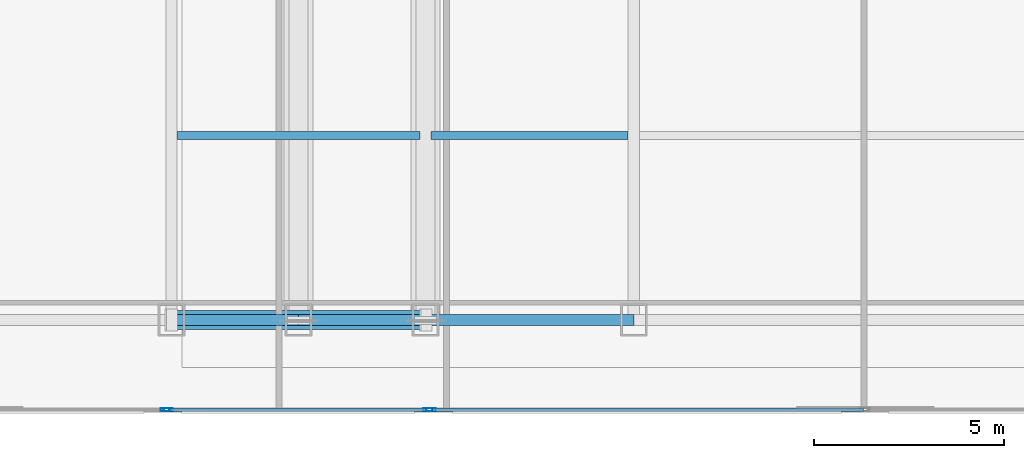
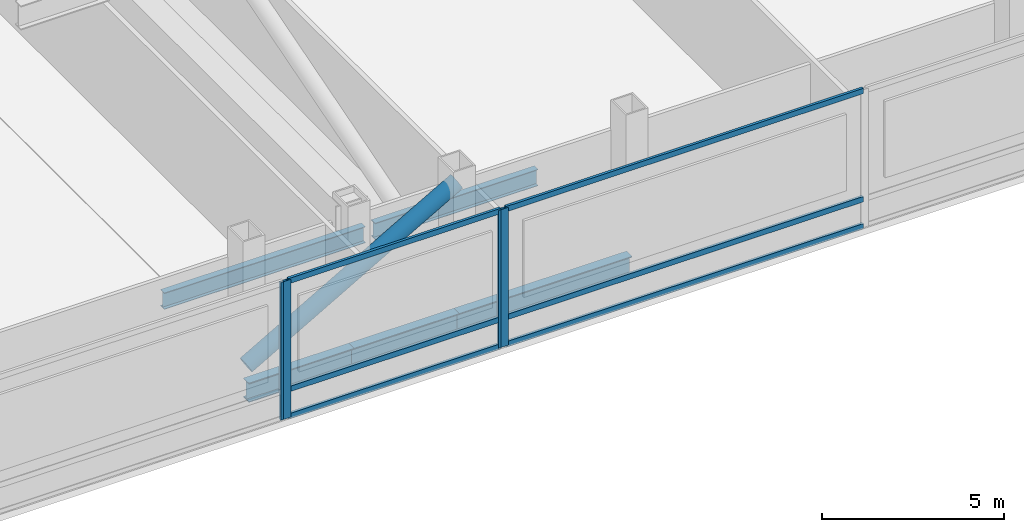
# One storey, part 8 of 32: 11 members, 5 beams, 3 elements without a shape of their own.
"""IFC4 building model written with IfcOpenShell, lengths in metres."""

from ifc_helpers import new_model, si_unit, direction, frame, origin, origin_2d, place, context, subcontext, project, spatial, hollow_rectangle, hollow_circle, i_section, extrude, material, material_profile, profile_set, type_object, element, aggregate, save


model = new_model("IFC4")

# Units and contexts
model_context = context("Model", 3, precision=1e-05, world=origin(), true_north=direction((0.0, 1.0)))
body_context = subcontext(model_context, "Body", "Model", "MODEL_VIEW")
ifc_project = project(units=[si_unit("LENGTHUNIT", "METRE"), si_unit("AREAUNIT", "SQUARE_METRE"), si_unit("VOLUMEUNIT", "CUBIC_METRE"), si_unit("PLANEANGLEUNIT", "RADIAN"), si_unit("MASSUNIT", "GRAM", prefix="KILO")], contexts=[model_context])

# Site, building, storey
site_placement = place(None, origin())
site = spatial("IfcSite", under=ifc_project, at=site_placement, CompositionType="ELEMENT")
building_placement = place(site_placement, origin())
building = spatial("IfcBuilding", under=site, at=building_placement, Name="Khoronbel Lancet Exchange", CompositionType="ELEMENT")
storey_placement = place(building_placement, frame((0.0, 0.0, 85.800048828125)))
storey = spatial("IfcBuildingStorey", under=building, at=storey_placement, Name="L20", CompositionType="ELEMENT", Elevation=85.800048828125)

# Beams
ifc_material_1 = material(Name="Steel S355", Category="steel")
ifc_material_profile_1 = material_profile(ifc_material_1, i_section(OverallWidth=0.2099609375, OverallDepth=0.550048828125, WebThickness=0.010986328125, FlangeThickness=0.01708984375, at=origin_2d()), Name="IPE 550")
ifc_profile_set_1 = profile_set([ifc_material_profile_1], Name="Steel S355")
beam_type_1 = type_object("IfcBeamType", Name="BM-BJ2", PredefinedType="JOIST", material=ifc_profile_set_1)
beam_1_placement = place(storey_placement, frame((18.375, 15.0, -0.4951171875), z_axis=(1.0, 0.0, 0.0), x_axis=(0.0, 1.0, 0.0)))
element("IfcBeam", 1, at=beam_1_placement, inside=storey, type_object=beam_type_1, Name="Level L20 secondary composite joist J01", PredefinedType="JOIST", context=body_context, shape_type="SweptSolid", body=[
    extrude(i_section(OverallWidth=0.2099609375, OverallDepth=0.550048828125, WebThickness=0.010986328125, FlangeThickness=0.01708984375, at=origin_2d()), origin(), (0.0, 0.0, 1.0), 6.375),
])
beam_2_placement = place(storey_placement, frame((25.050048828125, 15.0, -0.4951171875), z_axis=(1.0, 0.0, 0.0), x_axis=(0.0, 1.0, 0.0)))
element("IfcBeam", 2, at=beam_2_placement, inside=storey, type_object=beam_type_1, Name="Level L20 secondary composite joist J02", PredefinedType="JOIST", context=body_context, shape_type="SweptSolid", body=[
    extrude(i_section(OverallWidth=0.2099609375, OverallDepth=0.550048828125, WebThickness=0.010986328125, FlangeThickness=0.01708984375, at=origin_2d()), origin(), (0.0, 0.0, 1.0), 5.175048828125),
])
ifc_material_profile_2 = material_profile(ifc_material_1, i_section(OverallWidth=0.300048828125, OverallDepth=0.64990234375, WebThickness=0.01611328125, FlangeThickness=0.031005859375, at=origin_2d()), Name="HEB 650")
ifc_profile_set_2 = profile_set([ifc_material_profile_2], Name="Steel S355")
beam_type_2 = type_object("IfcBeamType", Name="BM-BSP1", PredefinedType="SPANDREL", material=ifc_profile_set_2)
for number, where, z_axis, x_axis, name in (
    (3, (18.22509765625, 10.14990234375, -0.545166015625), (1.0, 0.0, 0.0), (0.0, 1.0, 0.0), "Level L20 perimeter spandrel beam SP02"),
    (4, (21.5625, 10.14990234375, -0.545166015625), (1.0, 0.0, 0.0), (0.0, 1.0, 0.0), "Level L20 perimeter spandrel beam SP03"),
):
    element("IfcBeam", number, at=place(storey_placement, frame(where, z_axis=z_axis, x_axis=x_axis)), inside=storey, type_object=beam_type_2, Name=name, PredefinedType="SPANDREL", context=body_context, shape_type="SweptSolid", body=[
        extrude(i_section(OverallWidth=0.300048828125, OverallDepth=0.64990234375, WebThickness=0.01611328125, FlangeThickness=0.031005859375, at=origin_2d()), origin(), (0.0, 0.0, 1.0), 3.33740234375),
    ])
beam_3_placement = place(storey_placement, frame((24.89990234375, 10.14990234375, -0.545166015625), z_axis=(1.0, 0.0, 0.0), x_axis=(0.0, 1.0, 0.0)))
element("IfcBeam", 5, at=beam_3_placement, inside=storey, type_object=beam_type_2, Name="Level L20 perimeter spandrel beam SP04", PredefinedType="SPANDREL", context=body_context, shape_type="SweptSolid", body=[
    extrude(i_section(OverallWidth=0.300048828125, OverallDepth=0.64990234375, WebThickness=0.01611328125, FlangeThickness=0.031005859375, at=origin_2d()), origin(), (0.0, 0.0, 1.0), 5.47509765625),
])

# Curtain wall, member
ifc_material_2 = material(Name="Low-E Solar Control Insulating Glass", Category="glass")
curtain_wall_type = type_object("IfcCurtainWallType", Name="CW-2", PredefinedType="NOTDEFINED", material=ifc_material_2)
curtain_wall_1_placement = place(storey_placement, origin())
curtain_wall_1 = element("IfcCurtainWall", 6, at=curtain_wall_1_placement, inside=storey, type_object=curtain_wall_type, Name="Unitised curtain wall CW-L20-SWV", PredefinedType="NOTDEFINED")
ifc_material_3 = material(Name="Bronze-Anodised Aluminium 6063-T6", Category="aluminium")
ifc_material_profile_3 = material_profile(ifc_material_3, hollow_rectangle(XDim=0.0849609375, YDim=0.239990234375, WallThickness=0.006103515625, at=origin_2d()), Name="ALU MULLION 85x240")
ifc_profile_set_3 = profile_set([ifc_material_profile_3], Name="Bronze-Anodised Aluminium 6063-T6")
member_type_1 = type_object("IfcMemberType", Name="MEM-CWM1", PredefinedType="MULLION", material=ifc_profile_set_3)
member_1_placement = place(storey_placement, frame((18.0576171875, 7.7900390625, 0.0), z_axis=(0.0, 0.0, 1.0), x_axis=(0.0, 1.0, 0.0)))
member_1 = element("IfcMember", 7, at=member_1_placement, type_object=member_type_1, Name="CW2 mullion 2", PredefinedType="MULLION", context=body_context, shape_type="SweptSolid", body=[
    extrude(hollow_rectangle(XDim=0.0849609375, YDim=0.239990234375, WallThickness=0.006103515625, at=origin_2d()), origin(), (0.0, 0.0, 1.0), 4.619873046875),
])
aggregate(curtain_wall_1, [member_1])

# Curtain wall, members
curtain_wall_2_placement = place(storey_placement, origin())
curtain_wall_2 = element("IfcCurtainWall", 8, at=curtain_wall_2_placement, inside=storey, type_object=curtain_wall_type, Name="Unitised curtain wall CW-L20-SWB", PredefinedType="NOTDEFINED")
member_2_placement = place(storey_placement, frame((18.142578125, 7.7900390625, 0.0), z_axis=(0.0, 0.0, 1.0), x_axis=(0.0, 1.0, 0.0)))
member_2 = element("IfcMember", 9, at=member_2_placement, type_object=member_type_1, Name="CW2 mullion 1", PredefinedType="MULLION", context=body_context, shape_type="SweptSolid", body=[
    extrude(hollow_rectangle(XDim=0.0849609375, YDim=0.239990234375, WallThickness=0.006103515625, at=origin_2d()), origin(), (0.0, 0.0, 1.0), 4.619873046875),
])
member_3_placement = place(storey_placement, frame((24.95751953125, 7.7900390625, 0.0), z_axis=(0.0, 0.0, 1.0), x_axis=(0.0, 1.0, 0.0)))
member_3 = element("IfcMember", 10, at=member_3_placement, type_object=member_type_1, Name="CW2 mullion 2", PredefinedType="MULLION", context=body_context, shape_type="SweptSolid", body=[
    extrude(hollow_rectangle(XDim=0.0849609375, YDim=0.239990234375, WallThickness=0.006103515625, at=origin_2d()), origin(), (0.0, 0.0, 1.0), 4.619873046875),
])

# Curtain wall, member
curtain_wall_3_placement = place(storey_placement, origin())
curtain_wall_3 = element("IfcCurtainWall", 11, at=curtain_wall_3_placement, inside=storey, type_object=curtain_wall_type, Name="Unitised curtain wall CW-L20-SCV", PredefinedType="NOTDEFINED")
member_4_placement = place(storey_placement, frame((25.04248046875, 7.7900390625, 0.0), z_axis=(0.0, 0.0, 1.0), x_axis=(0.0, 1.0, 0.0)))
member_4 = element("IfcMember", 12, at=member_4_placement, type_object=member_type_1, Name="CW2 mullion 1", PredefinedType="MULLION", context=body_context, shape_type="SweptSolid", body=[
    extrude(hollow_rectangle(XDim=0.0849609375, YDim=0.239990234375, WallThickness=0.006103515625, at=origin_2d()), origin(), (0.0, 0.0, 1.0), 4.619873046875),
])

# Member
ifc_material_profile_4 = material_profile(ifc_material_3, hollow_rectangle(XDim=0.0849609375, YDim=0.179931640625, WallThickness=0.0048828125, at=origin_2d()), Name="ALU TRANSOM 85x180")
ifc_profile_set_4 = profile_set([ifc_material_profile_4], Name="Bronze-Anodised Aluminium 6063-T6")
member_type_2 = type_object("IfcMemberType", Name="MEM-CWT1", PredefinedType="USERDEFINED", material=ifc_profile_set_4)
member_5_placement = place(storey_placement, frame((18.18505859375, 7.7900390625, 0.04248046875), z_axis=(1.0, 0.0, 0.0), x_axis=(0.0, 1.0, 0.0)))
member_5 = element("IfcMember", 13, at=member_5_placement, type_object=member_type_2, Name="CW2 transom 1.1", ObjectType="TRANSOM", PredefinedType="USERDEFINED", context=body_context, shape_type="SweptSolid", body=[
    extrude(hollow_rectangle(XDim=0.0849609375, YDim=0.179931640625, WallThickness=0.0048828125, at=origin_2d()), origin(), (0.0, 0.0, 1.0), 6.72998046875),
])

member_6_placement = place(storey_placement, frame((18.18505859375, 7.7900390625, 0.949951171875), z_axis=(1.0, 0.0, 0.0), x_axis=(0.0, 1.0, 0.0)))
member_6 = element("IfcMember", 14, at=member_6_placement, type_object=member_type_2, Name="CW2 transom 1.2", ObjectType="TRANSOM", PredefinedType="USERDEFINED", context=body_context, shape_type="SweptSolid", body=[
    extrude(hollow_rectangle(XDim=0.0849609375, YDim=0.179931640625, WallThickness=0.0048828125, at=origin_2d()), origin(), (0.0, 0.0, 1.0), 6.72998046875),
])

member_7_placement = place(storey_placement, frame((18.18505859375, 7.7900390625, 4.577392578125), z_axis=(1.0, 0.0, 0.0), x_axis=(0.0, 1.0, 0.0)))
member_7 = element("IfcMember", 15, at=member_7_placement, type_object=member_type_2, Name="CW2 transom 1.3", ObjectType="TRANSOM", PredefinedType="USERDEFINED", context=body_context, shape_type="SweptSolid", body=[
    extrude(hollow_rectangle(XDim=0.0849609375, YDim=0.179931640625, WallThickness=0.0048828125, at=origin_2d()), origin(), (0.0, 0.0, 1.0), 6.72998046875),
])

aggregate(curtain_wall_2, [member_2, member_3, member_5, member_6, member_7])

member_8_placement = place(storey_placement, frame((25.0849609375, 7.7900390625, 0.04248046875), z_axis=(1.0, 0.0, 0.0), x_axis=(0.0, 1.0, 0.0)))
member_8 = element("IfcMember", 16, at=member_8_placement, type_object=member_type_2, Name="CW2 transom 1.1", ObjectType="TRANSOM", PredefinedType="USERDEFINED", context=body_context, shape_type="SweptSolid", body=[
    extrude(hollow_rectangle(XDim=0.0849609375, YDim=0.179931640625, WallThickness=0.0048828125, at=origin_2d()), origin(), (0.0, 0.0, 1.0), 11.322509765625),
])

member_9_placement = place(storey_placement, frame((25.0849609375, 7.7900390625, 0.949951171875), z_axis=(1.0, 0.0, 0.0), x_axis=(0.0, 1.0, 0.0)))
member_9 = element("IfcMember", 17, at=member_9_placement, type_object=member_type_2, Name="CW2 transom 1.2", ObjectType="TRANSOM", PredefinedType="USERDEFINED", context=body_context, shape_type="SweptSolid", body=[
    extrude(hollow_rectangle(XDim=0.0849609375, YDim=0.179931640625, WallThickness=0.0048828125, at=origin_2d()), origin(), (0.0, 0.0, 1.0), 11.322509765625),
])

member_10_placement = place(storey_placement, frame((25.0849609375, 7.7900390625, 4.577392578125), z_axis=(1.0, 0.0, 0.0), x_axis=(0.0, 1.0, 0.0)))
member_10 = element("IfcMember", 18, at=member_10_placement, type_object=member_type_2, Name="CW2 transom 1.3", ObjectType="TRANSOM", PredefinedType="USERDEFINED", context=body_context, shape_type="SweptSolid", body=[
    extrude(hollow_rectangle(XDim=0.0849609375, YDim=0.179931640625, WallThickness=0.0048828125, at=origin_2d()), origin(), (0.0, 0.0, 1.0), 11.322509765625),
])

aggregate(curtain_wall_3, [member_4, member_8, member_9, member_10])

ifc_material_4 = material(Name="Steel S460", Category="steel")
ifc_material_profile_5 = material_profile(ifc_material_4, hollow_circle(Radius=0.25390625, WallThickness=0.02490234375, at=origin_2d()), Name="CHS 508x25")
ifc_profile_set_5 = profile_set([ifc_material_profile_5], Name="Steel S460")
member_type_3 = type_object("IfcMemberType", Name="MEM-OBR2", PredefinedType="BRACE", material=ifc_profile_set_5)
member_11_placement = place(storey_placement, frame((18.22509765625, 10.14990234375, 0.300048828125), z_axis=(0.867926485619, 0.0, 0.496692677176), x_axis=(0.0, 1.0, 0.0)))
element("IfcMember", 19, at=member_11_placement, inside=storey, type_object=member_type_3, Name="Perimeter belt-truss diagonal L20-1", PredefinedType="BRACE", context=body_context, shape_type="SweptSolid", body=[
    extrude(hollow_circle(Radius=0.25390625, WallThickness=0.02490234375, at=origin_2d()), origin(), (0.0, 0.0, 1.0), 7.6904296875),
])

save(model, "model.ifc")
